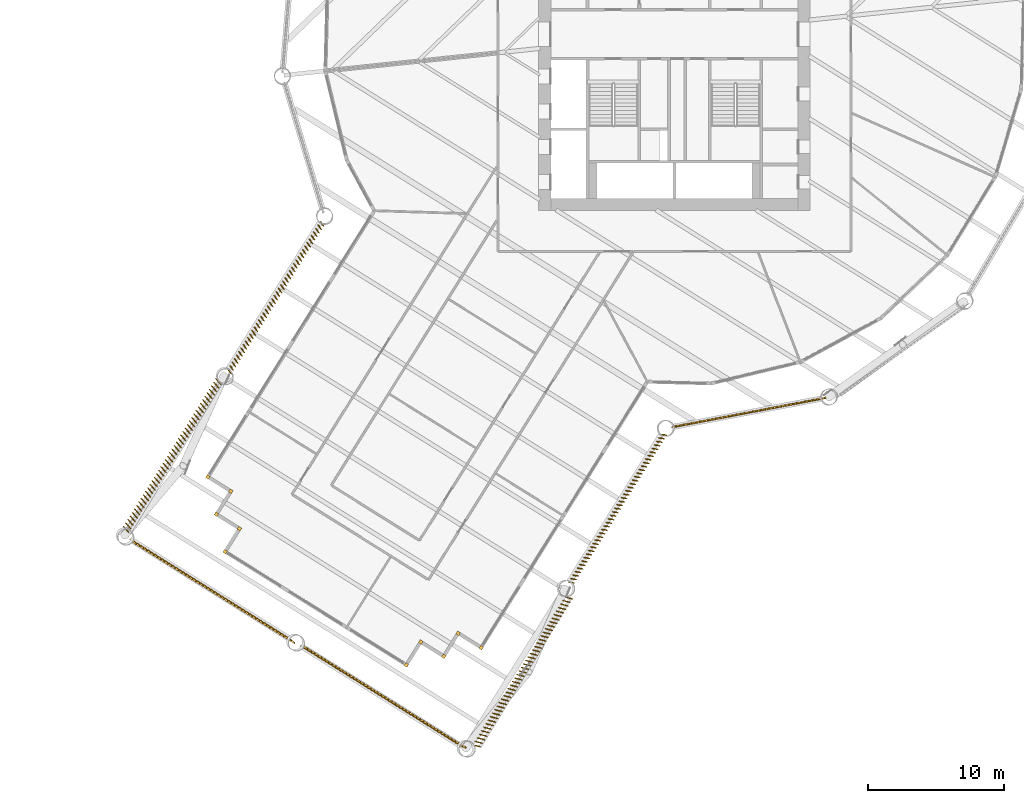
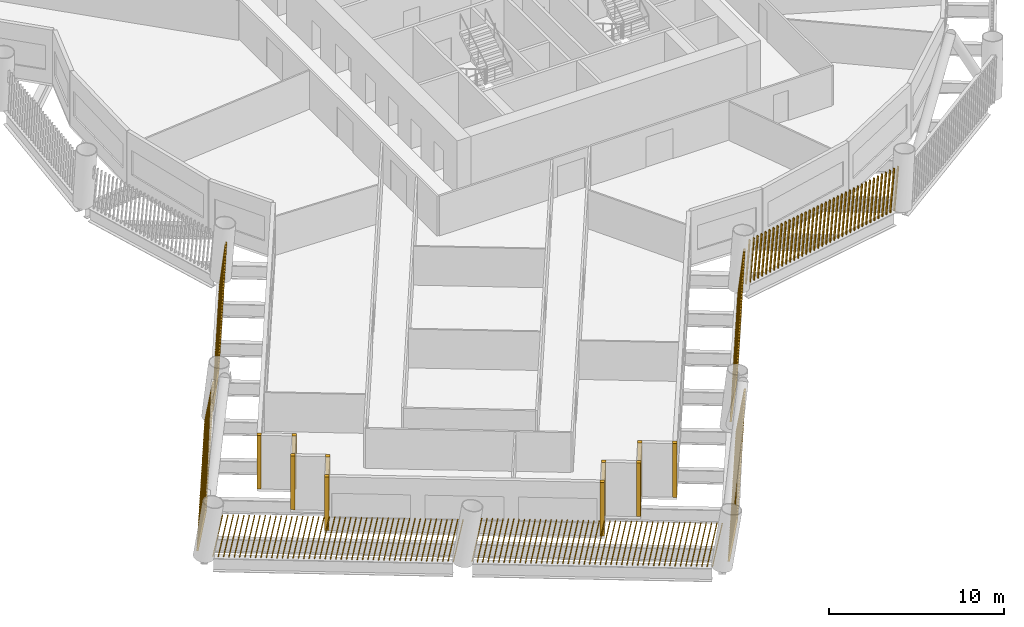
# One storey, part 18 of 22: 17 shading devices.
"""IFC4 building model written with IfcOpenShell, lengths in metres."""

from ifc_helpers import new_model, si_unit, direction, frame, frame_2d, origin, origin_2d, place, context, subcontext, project, spatial, rectangle, composite_profile, extrude, material, type_object, element, save


model = new_model("IFC4")

# Units and contexts
model_context = context("Model", 3, precision=1e-05, world=origin(), true_north=direction((0.0, 1.0)))
body_context = subcontext(model_context, "Body", "Model", "MODEL_VIEW")
ifc_project = project(units=[si_unit("LENGTHUNIT", "METRE"), si_unit("AREAUNIT", "SQUARE_METRE"), si_unit("VOLUMEUNIT", "CUBIC_METRE"), si_unit("PLANEANGLEUNIT", "RADIAN"), si_unit("MASSUNIT", "GRAM", prefix="KILO")], contexts=[model_context])

# Site, building, storey
site_placement = place(None, origin())
site = spatial("IfcSite", under=ifc_project, at=site_placement, CompositionType="ELEMENT")
building_placement = place(site_placement, origin())
building = spatial("IfcBuilding", under=site, at=building_placement, Name="Tarsis Ring Headquarters", CompositionType="ELEMENT")
storey_placement = place(building_placement, frame((0.0, 0.0, 71.199951171875)))
storey = spatial("IfcBuildingStorey", under=building, at=storey_placement, Name="L15", CompositionType="ELEMENT", Elevation=71.199951171875)

# Shading devices
ifc_material = material(Name="Terracotta baguette", Category="masonry")
shading_device_type_1 = type_object("IfcShadingDeviceType", Name="Terracotta baguette screen", PredefinedType="USERDEFINED", material=ifc_material)
shading_device_1_placement = place(storey_placement, frame((-26.061767578125, -13.778564453125, 0.0), z_axis=(0.0, 0.0, 1.0), x_axis=(-0.529915985468, -0.848054798668, 0.0)))
element("IfcShadingDevice", 1, at=shading_device_1_placement, inside=storey, type_object=shading_device_type_1, Name="Baguette screen L15-01", ObjectType="Terracotta baguette screen", PredefinedType="USERDEFINED", context=body_context, shape_type="SweptSolid", body=[
    extrude(composite_profile([rectangle(XDim=0.06005859375, YDim=0.1201171875, at=frame_2d((0.030029296875, 0.0))), rectangle(XDim=0.06005859375, YDim=0.1201171875, at=frame_2d((0.335693359375, 0.0))), rectangle(XDim=0.06005859375, YDim=0.1201171875, at=frame_2d((0.6416015625, 0.0))), rectangle(XDim=0.06005859375, YDim=0.1201171875, at=frame_2d((0.947265625, 0.0))), rectangle(XDim=0.06005859375, YDim=0.1201171875, at=frame_2d((1.253173828125, 0.0))), rectangle(XDim=0.06005859375, YDim=0.1201171875, at=frame_2d((1.558837890625, 0.0))), rectangle(XDim=0.06005859375, YDim=0.1201171875, at=frame_2d((1.864501953125, 0.0))), rectangle(XDim=0.06005859375, YDim=0.1201171875, at=frame_2d((2.17041015625, 0.0))), rectangle(XDim=0.06005859375, YDim=0.1201171875, at=frame_2d((2.47607421875, 0.0))), rectangle(XDim=0.06005859375, YDim=0.1201171875, at=frame_2d((2.781982421875, 0.0))), rectangle(XDim=0.06005859375, YDim=0.1201171875, at=frame_2d((3.087646484375, 0.0))), rectangle(XDim=0.06005859375, YDim=0.1201171875, at=frame_2d((3.393310546875, 0.0))), rectangle(XDim=0.06005859375, YDim=0.1201171875, at=frame_2d((3.69921875, 0.0))), rectangle(XDim=0.06005859375, YDim=0.1201171875, at=frame_2d((4.0048828125, 0.0))), rectangle(XDim=0.06005859375, YDim=0.1201171875, at=frame_2d((4.310791015625, 0.0))), rectangle(XDim=0.06005859375, YDim=0.1201171875, at=frame_2d((4.616455078125, 0.0))), rectangle(XDim=0.06005859375, YDim=0.1201171875, at=frame_2d((4.922119140625, 0.0))), rectangle(XDim=0.06005859375, YDim=0.1201171875, at=frame_2d((5.22802734375, 0.0))), rectangle(XDim=0.06005859375, YDim=0.1201171875, at=frame_2d((5.53369140625, 0.0))), rectangle(XDim=0.06005859375, YDim=0.1201171875, at=frame_2d((5.839599609375, 0.0))), rectangle(XDim=0.06005859375, YDim=0.1201171875, at=frame_2d((6.145263671875, 0.0))), rectangle(XDim=0.06005859375, YDim=0.1201171875, at=frame_2d((6.451171875, 0.0))), rectangle(XDim=0.06005859375, YDim=0.1201171875, at=frame_2d((6.7568359375, 0.0))), rectangle(XDim=0.06005859375, YDim=0.1201171875, at=frame_2d((7.0625, 0.0))), rectangle(XDim=0.06005859375, YDim=0.1201171875, at=frame_2d((7.368408203125, 0.0))), rectangle(XDim=0.06005859375, YDim=0.1201171875, at=frame_2d((7.674072265625, 0.0))), rectangle(XDim=0.06005859375, YDim=0.1201171875, at=frame_2d((7.97998046875, 0.0))), rectangle(XDim=0.06005859375, YDim=0.1201171875, at=frame_2d((8.28564453125, 0.0))), rectangle(XDim=0.06005859375, YDim=0.1201171875, at=frame_2d((8.59130859375, 0.0))), rectangle(XDim=0.06005859375, YDim=0.1201171875, at=frame_2d((8.897216796875, 0.0))), rectangle(XDim=0.06005859375, YDim=0.1201171875, at=frame_2d((9.202880859375, 0.0))), rectangle(XDim=0.06005859375, YDim=0.1201171875, at=frame_2d((9.5087890625, 0.0))), rectangle(XDim=0.06005859375, YDim=0.1201171875, at=frame_2d((9.814453125, 0.0))), rectangle(XDim=0.06005859375, YDim=0.1201171875, at=frame_2d((10.1201171875, 0.0))), rectangle(XDim=0.06005859375, YDim=0.1201171875, at=frame_2d((10.426025390625, 0.0))), rectangle(XDim=0.06005859375, YDim=0.1201171875, at=frame_2d((10.731689453125, 0.0))), rectangle(XDim=0.06005859375, YDim=0.1201171875, at=frame_2d((11.03759765625, 0.0))), rectangle(XDim=0.06005859375, YDim=0.1201171875, at=frame_2d((11.34326171875, 0.0))), rectangle(XDim=0.06005859375, YDim=0.1201171875, at=frame_2d((11.64892578125, 0.0))), rectangle(XDim=0.06005859375, YDim=0.1201171875, at=frame_2d((11.954833984375, 0.0))), rectangle(XDim=0.06005859375, YDim=0.1201171875, at=frame_2d((12.260498046875, 0.0))), rectangle(XDim=0.06005859375, YDim=0.1201171875, at=frame_2d((12.56640625, 0.0))), rectangle(XDim=0.06005859375, YDim=0.1201171875, at=frame_2d((12.8720703125, 0.0)))]), origin(), (0.051497089353, 0.112701213725, 0.992293548408), 2.9755859375),
])
shading_device_2_placement = place(storey_placement, frame((-33.746826171875, -25.36962890625, 0.0), z_axis=(0.0, 0.0, 1.0), x_axis=(-0.529926012829, -0.848051923477, 0.0)))
element("IfcShadingDevice", 2, at=shading_device_2_placement, inside=storey, type_object=shading_device_type_1, Name="Baguette screen L15-02", ObjectType="Terracotta baguette screen", PredefinedType="USERDEFINED", context=body_context, shape_type="SweptSolid", body=[
    extrude(composite_profile([rectangle(XDim=0.06005859375, YDim=0.1201171875, at=frame_2d((0.030029296875, 0.0))), rectangle(XDim=0.06005859375, YDim=0.1201171875, at=frame_2d((0.335693359375, 0.0))), rectangle(XDim=0.06005859375, YDim=0.1201171875, at=frame_2d((0.6416015625, 0.0))), rectangle(XDim=0.06005859375, YDim=0.1201171875, at=frame_2d((0.947265625, 0.0))), rectangle(XDim=0.06005859375, YDim=0.1201171875, at=frame_2d((1.253173828125, 0.0))), rectangle(XDim=0.06005859375, YDim=0.1201171875, at=frame_2d((1.558837890625, 0.0))), rectangle(XDim=0.06005859375, YDim=0.1201171875, at=frame_2d((1.864501953125, 0.0))), rectangle(XDim=0.06005859375, YDim=0.1201171875, at=frame_2d((2.17041015625, 0.0))), rectangle(XDim=0.06005859375, YDim=0.1201171875, at=frame_2d((2.47607421875, 0.0))), rectangle(XDim=0.06005859375, YDim=0.1201171875, at=frame_2d((2.781982421875, 0.0))), rectangle(XDim=0.06005859375, YDim=0.1201171875, at=frame_2d((3.087646484375, 0.0))), rectangle(XDim=0.06005859375, YDim=0.1201171875, at=frame_2d((3.393310546875, 0.0))), rectangle(XDim=0.06005859375, YDim=0.1201171875, at=frame_2d((3.69921875, 0.0))), rectangle(XDim=0.06005859375, YDim=0.1201171875, at=frame_2d((4.0048828125, 0.0))), rectangle(XDim=0.06005859375, YDim=0.1201171875, at=frame_2d((4.310791015625, 0.0))), rectangle(XDim=0.06005859375, YDim=0.1201171875, at=frame_2d((4.616455078125, 0.0))), rectangle(XDim=0.06005859375, YDim=0.1201171875, at=frame_2d((4.922119140625, 0.0))), rectangle(XDim=0.06005859375, YDim=0.1201171875, at=frame_2d((5.22802734375, 0.0))), rectangle(XDim=0.06005859375, YDim=0.1201171875, at=frame_2d((5.53369140625, 0.0))), rectangle(XDim=0.06005859375, YDim=0.1201171875, at=frame_2d((5.839599609375, 0.0))), rectangle(XDim=0.06005859375, YDim=0.1201171875, at=frame_2d((6.145263671875, 0.0))), rectangle(XDim=0.06005859375, YDim=0.1201171875, at=frame_2d((6.451171875, 0.0))), rectangle(XDim=0.06005859375, YDim=0.1201171875, at=frame_2d((6.7568359375, 0.0))), rectangle(XDim=0.06005859375, YDim=0.1201171875, at=frame_2d((7.0625, 0.0))), rectangle(XDim=0.06005859375, YDim=0.1201171875, at=frame_2d((7.368408203125, 0.0))), rectangle(XDim=0.06005859375, YDim=0.1201171875, at=frame_2d((7.674072265625, 0.0))), rectangle(XDim=0.06005859375, YDim=0.1201171875, at=frame_2d((7.97998046875, 0.0))), rectangle(XDim=0.06005859375, YDim=0.1201171875, at=frame_2d((8.28564453125, 0.0))), rectangle(XDim=0.06005859375, YDim=0.1201171875, at=frame_2d((8.59130859375, 0.0))), rectangle(XDim=0.06005859375, YDim=0.1201171875, at=frame_2d((8.897216796875, 0.0))), rectangle(XDim=0.06005859375, YDim=0.1201171875, at=frame_2d((9.202880859375, 0.0))), rectangle(XDim=0.06005859375, YDim=0.1201171875, at=frame_2d((9.5087890625, 0.0))), rectangle(XDim=0.06005859375, YDim=0.1201171875, at=frame_2d((9.814453125, 0.0))), rectangle(XDim=0.06005859375, YDim=0.1201171875, at=frame_2d((10.1201171875, 0.0))), rectangle(XDim=0.06005859375, YDim=0.1201171875, at=frame_2d((10.426025390625, 0.0))), rectangle(XDim=0.06005859375, YDim=0.1201171875, at=frame_2d((10.731689453125, 0.0))), rectangle(XDim=0.06005859375, YDim=0.1201171875, at=frame_2d((11.03759765625, 0.0))), rectangle(XDim=0.06005859375, YDim=0.1201171875, at=frame_2d((11.34326171875, 0.0))), rectangle(XDim=0.06005859375, YDim=0.1201171875, at=frame_2d((11.64892578125, 0.0))), rectangle(XDim=0.06005859375, YDim=0.1201171875, at=frame_2d((11.954833984375, 0.0))), rectangle(XDim=0.06005859375, YDim=0.1201171875, at=frame_2d((12.260498046875, 0.0))), rectangle(XDim=0.06005859375, YDim=0.1201171875, at=frame_2d((12.56640625, 0.0))), rectangle(XDim=0.06005859375, YDim=0.1201171875, at=frame_2d((12.8720703125, 0.0)))]), origin(), (0.052207703346, 0.160552052085, 0.985645673801), 2.99560546875),
])
shading_device_3_placement = place(storey_placement, frame((-40.10693359375, -37.198974609375, 0.0), z_axis=(0.0, 0.0, 1.0), x_axis=(0.848049535604, -0.52992481203, 0.0)))
element("IfcShadingDevice", 3, at=shading_device_3_placement, inside=storey, type_object=shading_device_type_1, Name="Baguette screen L15-03", ObjectType="Terracotta baguette screen", PredefinedType="USERDEFINED", context=body_context, shape_type="SweptSolid", body=[
    extrude(composite_profile([rectangle(XDim=0.06005859375, YDim=0.1201171875, at=frame_2d((0.030029296875, 0.0))), rectangle(XDim=0.06005859375, YDim=0.1201171875, at=frame_2d((0.33544921875, 0.0))), rectangle(XDim=0.06005859375, YDim=0.1201171875, at=frame_2d((0.640625, 0.0))), rectangle(XDim=0.06005859375, YDim=0.1201171875, at=frame_2d((0.946044921875, 0.0))), rectangle(XDim=0.06005859375, YDim=0.1201171875, at=frame_2d((1.25146484375, 0.0))), rectangle(XDim=0.06005859375, YDim=0.1201171875, at=frame_2d((1.556640625, 0.0))), rectangle(XDim=0.06005859375, YDim=0.1201171875, at=frame_2d((1.862060546875, 0.0))), rectangle(XDim=0.06005859375, YDim=0.1201171875, at=frame_2d((2.16748046875, 0.0))), rectangle(XDim=0.06005859375, YDim=0.1201171875, at=frame_2d((2.47265625, 0.0))), rectangle(XDim=0.06005859375, YDim=0.1201171875, at=frame_2d((2.778076171875, 0.0))), rectangle(XDim=0.06005859375, YDim=0.1201171875, at=frame_2d((3.08349609375, 0.0))), rectangle(XDim=0.06005859375, YDim=0.1201171875, at=frame_2d((3.388671875, 0.0))), rectangle(XDim=0.06005859375, YDim=0.1201171875, at=frame_2d((3.694091796875, 0.0))), rectangle(XDim=0.06005859375, YDim=0.1201171875, at=frame_2d((3.99951171875, 0.0))), rectangle(XDim=0.06005859375, YDim=0.1201171875, at=frame_2d((4.3046875, 0.0))), rectangle(XDim=0.06005859375, YDim=0.1201171875, at=frame_2d((4.610107421875, 0.0))), rectangle(XDim=0.06005859375, YDim=0.1201171875, at=frame_2d((4.91552734375, 0.0))), rectangle(XDim=0.06005859375, YDim=0.1201171875, at=frame_2d((5.220703125, 0.0))), rectangle(XDim=0.06005859375, YDim=0.1201171875, at=frame_2d((5.526123046875, 0.0))), rectangle(XDim=0.06005859375, YDim=0.1201171875, at=frame_2d((5.83154296875, 0.0))), rectangle(XDim=0.06005859375, YDim=0.1201171875, at=frame_2d((6.13671875, 0.0))), rectangle(XDim=0.06005859375, YDim=0.1201171875, at=frame_2d((6.442138671875, 0.0))), rectangle(XDim=0.06005859375, YDim=0.1201171875, at=frame_2d((6.74755859375, 0.0))), rectangle(XDim=0.06005859375, YDim=0.1201171875, at=frame_2d((7.052734375, 0.0))), rectangle(XDim=0.06005859375, YDim=0.1201171875, at=frame_2d((7.358154296875, 0.0))), rectangle(XDim=0.06005859375, YDim=0.1201171875, at=frame_2d((7.66357421875, 0.0))), rectangle(XDim=0.06005859375, YDim=0.1201171875, at=frame_2d((7.96875, 0.0))), rectangle(XDim=0.06005859375, YDim=0.1201171875, at=frame_2d((8.274169921875, 0.0))), rectangle(XDim=0.06005859375, YDim=0.1201171875, at=frame_2d((8.57958984375, 0.0))), rectangle(XDim=0.06005859375, YDim=0.1201171875, at=frame_2d((8.884765625, 0.0))), rectangle(XDim=0.06005859375, YDim=0.1201171875, at=frame_2d((9.190185546875, 0.0))), rectangle(XDim=0.06005859375, YDim=0.1201171875, at=frame_2d((9.49560546875, 0.0))), rectangle(XDim=0.06005859375, YDim=0.1201171875, at=frame_2d((9.80078125, 0.0))), rectangle(XDim=0.06005859375, YDim=0.1201171875, at=frame_2d((10.106201171875, 0.0))), rectangle(XDim=0.06005859375, YDim=0.1201171875, at=frame_2d((10.41162109375, 0.0))), rectangle(XDim=0.06005859375, YDim=0.1201171875, at=frame_2d((10.716796875, 0.0))), rectangle(XDim=0.06005859375, YDim=0.1201171875, at=frame_2d((11.022216796875, 0.0))), rectangle(XDim=0.06005859375, YDim=0.1201171875, at=frame_2d((11.32763671875, 0.0))), rectangle(XDim=0.06005859375, YDim=0.1201171875, at=frame_2d((11.6328125, 0.0))), rectangle(XDim=0.06005859375, YDim=0.1201171875, at=frame_2d((11.938232421875, 0.0))), rectangle(XDim=0.06005859375, YDim=0.1201171875, at=frame_2d((12.24365234375, 0.0))), rectangle(XDim=0.06005859375, YDim=0.1201171875, at=frame_2d((12.548828125, 0.0))), rectangle(XDim=0.06005859375, YDim=0.1201171875, at=frame_2d((12.854248046875, 0.0))), rectangle(XDim=0.06005859375, YDim=0.1201171875, at=frame_2d((13.15966796875, 0.0))), rectangle(XDim=0.06005859375, YDim=0.1201171875, at=frame_2d((13.46484375, 0.0))), rectangle(XDim=0.06005859375, YDim=0.1201171875, at=frame_2d((13.770263671875, 0.0)))]), origin(), (0.184135156005, -0.024823667518, 0.982587415884), 3.0048828125),
])
shading_device_4_placement = place(storey_placement, frame((-27.5556640625, -45.0419921875, 0.0), z_axis=(0.0, 0.0, 1.0), x_axis=(0.848049535604, -0.529907120743, 0.0)))
element("IfcShadingDevice", 4, at=shading_device_4_placement, inside=storey, type_object=shading_device_type_1, Name="Baguette screen L15-04", ObjectType="Terracotta baguette screen", PredefinedType="USERDEFINED", context=body_context, shape_type="SweptSolid", body=[
    extrude(composite_profile([rectangle(XDim=0.06005859375, YDim=0.1201171875, at=frame_2d((0.030029296875, 0.0))), rectangle(XDim=0.06005859375, YDim=0.1201171875, at=frame_2d((0.33544921875, 0.0))), rectangle(XDim=0.06005859375, YDim=0.1201171875, at=frame_2d((0.640625, 0.0))), rectangle(XDim=0.06005859375, YDim=0.1201171875, at=frame_2d((0.946044921875, 0.0))), rectangle(XDim=0.06005859375, YDim=0.1201171875, at=frame_2d((1.25146484375, 0.0))), rectangle(XDim=0.06005859375, YDim=0.1201171875, at=frame_2d((1.556640625, 0.0))), rectangle(XDim=0.06005859375, YDim=0.1201171875, at=frame_2d((1.862060546875, 0.0))), rectangle(XDim=0.06005859375, YDim=0.1201171875, at=frame_2d((2.16748046875, 0.0))), rectangle(XDim=0.06005859375, YDim=0.1201171875, at=frame_2d((2.47265625, 0.0))), rectangle(XDim=0.06005859375, YDim=0.1201171875, at=frame_2d((2.778076171875, 0.0))), rectangle(XDim=0.06005859375, YDim=0.1201171875, at=frame_2d((3.08349609375, 0.0))), rectangle(XDim=0.06005859375, YDim=0.1201171875, at=frame_2d((3.388671875, 0.0))), rectangle(XDim=0.06005859375, YDim=0.1201171875, at=frame_2d((3.694091796875, 0.0))), rectangle(XDim=0.06005859375, YDim=0.1201171875, at=frame_2d((3.99951171875, 0.0))), rectangle(XDim=0.06005859375, YDim=0.1201171875, at=frame_2d((4.3046875, 0.0))), rectangle(XDim=0.06005859375, YDim=0.1201171875, at=frame_2d((4.610107421875, 0.0))), rectangle(XDim=0.06005859375, YDim=0.1201171875, at=frame_2d((4.91552734375, 0.0))), rectangle(XDim=0.06005859375, YDim=0.1201171875, at=frame_2d((5.220703125, 0.0))), rectangle(XDim=0.06005859375, YDim=0.1201171875, at=frame_2d((5.526123046875, 0.0))), rectangle(XDim=0.06005859375, YDim=0.1201171875, at=frame_2d((5.83154296875, 0.0))), rectangle(XDim=0.06005859375, YDim=0.1201171875, at=frame_2d((6.13671875, 0.0))), rectangle(XDim=0.06005859375, YDim=0.1201171875, at=frame_2d((6.442138671875, 0.0))), rectangle(XDim=0.06005859375, YDim=0.1201171875, at=frame_2d((6.74755859375, 0.0))), rectangle(XDim=0.06005859375, YDim=0.1201171875, at=frame_2d((7.052734375, 0.0))), rectangle(XDim=0.06005859375, YDim=0.1201171875, at=frame_2d((7.358154296875, 0.0))), rectangle(XDim=0.06005859375, YDim=0.1201171875, at=frame_2d((7.66357421875, 0.0))), rectangle(XDim=0.06005859375, YDim=0.1201171875, at=frame_2d((7.96875, 0.0))), rectangle(XDim=0.06005859375, YDim=0.1201171875, at=frame_2d((8.274169921875, 0.0))), rectangle(XDim=0.06005859375, YDim=0.1201171875, at=frame_2d((8.57958984375, 0.0))), rectangle(XDim=0.06005859375, YDim=0.1201171875, at=frame_2d((8.884765625, 0.0))), rectangle(XDim=0.06005859375, YDim=0.1201171875, at=frame_2d((9.190185546875, 0.0))), rectangle(XDim=0.06005859375, YDim=0.1201171875, at=frame_2d((9.49560546875, 0.0))), rectangle(XDim=0.06005859375, YDim=0.1201171875, at=frame_2d((9.80078125, 0.0))), rectangle(XDim=0.06005859375, YDim=0.1201171875, at=frame_2d((10.106201171875, 0.0))), rectangle(XDim=0.06005859375, YDim=0.1201171875, at=frame_2d((10.41162109375, 0.0))), rectangle(XDim=0.06005859375, YDim=0.1201171875, at=frame_2d((10.716796875, 0.0))), rectangle(XDim=0.06005859375, YDim=0.1201171875, at=frame_2d((11.022216796875, 0.0))), rectangle(XDim=0.06005859375, YDim=0.1201171875, at=frame_2d((11.32763671875, 0.0))), rectangle(XDim=0.06005859375, YDim=0.1201171875, at=frame_2d((11.6328125, 0.0))), rectangle(XDim=0.06005859375, YDim=0.1201171875, at=frame_2d((11.938232421875, 0.0))), rectangle(XDim=0.06005859375, YDim=0.1201171875, at=frame_2d((12.24365234375, 0.0))), rectangle(XDim=0.06005859375, YDim=0.1201171875, at=frame_2d((12.548828125, 0.0))), rectangle(XDim=0.06005859375, YDim=0.1201171875, at=frame_2d((12.854248046875, 0.0))), rectangle(XDim=0.06005859375, YDim=0.1201171875, at=frame_2d((13.15966796875, 0.0))), rectangle(XDim=0.06005859375, YDim=0.1201171875, at=frame_2d((13.46484375, 0.0))), rectangle(XDim=0.06005859375, YDim=0.1201171875, at=frame_2d((13.770263671875, 0.0)))]), origin(), (0.183863567775, 0.026749189486, 0.982587741277), 3.0048828125),
])
shading_device_5_placement = place(storey_placement, frame((-14.845703125, -52.39453125, 0.0), z_axis=(0.0, 0.0, 1.0), x_axis=(0.529915985468, 0.848054798668, 0.0)))
element("IfcShadingDevice", 5, at=shading_device_5_placement, inside=storey, type_object=shading_device_type_1, Name="Baguette screen L15-05", ObjectType="Terracotta baguette screen", PredefinedType="USERDEFINED", context=body_context, shape_type="SweptSolid", body=[
    extrude(composite_profile([rectangle(XDim=0.06005859375, YDim=0.1201171875, at=frame_2d((0.030029296875, 0.0))), rectangle(XDim=0.06005859375, YDim=0.1201171875, at=frame_2d((0.335693359375, 0.0))), rectangle(XDim=0.06005859375, YDim=0.1201171875, at=frame_2d((0.6416015625, 0.0))), rectangle(XDim=0.06005859375, YDim=0.1201171875, at=frame_2d((0.947265625, 0.0))), rectangle(XDim=0.06005859375, YDim=0.1201171875, at=frame_2d((1.253173828125, 0.0))), rectangle(XDim=0.06005859375, YDim=0.1201171875, at=frame_2d((1.558837890625, 0.0))), rectangle(XDim=0.06005859375, YDim=0.1201171875, at=frame_2d((1.864501953125, 0.0))), rectangle(XDim=0.06005859375, YDim=0.1201171875, at=frame_2d((2.17041015625, 0.0))), rectangle(XDim=0.06005859375, YDim=0.1201171875, at=frame_2d((2.47607421875, 0.0))), rectangle(XDim=0.06005859375, YDim=0.1201171875, at=frame_2d((2.781982421875, 0.0))), rectangle(XDim=0.06005859375, YDim=0.1201171875, at=frame_2d((3.087646484375, 0.0))), rectangle(XDim=0.06005859375, YDim=0.1201171875, at=frame_2d((3.393310546875, 0.0))), rectangle(XDim=0.06005859375, YDim=0.1201171875, at=frame_2d((3.69921875, 0.0))), rectangle(XDim=0.06005859375, YDim=0.1201171875, at=frame_2d((4.0048828125, 0.0))), rectangle(XDim=0.06005859375, YDim=0.1201171875, at=frame_2d((4.310791015625, 0.0))), rectangle(XDim=0.06005859375, YDim=0.1201171875, at=frame_2d((4.616455078125, 0.0))), rectangle(XDim=0.06005859375, YDim=0.1201171875, at=frame_2d((4.922119140625, 0.0))), rectangle(XDim=0.06005859375, YDim=0.1201171875, at=frame_2d((5.22802734375, 0.0))), rectangle(XDim=0.06005859375, YDim=0.1201171875, at=frame_2d((5.53369140625, 0.0))), rectangle(XDim=0.06005859375, YDim=0.1201171875, at=frame_2d((5.839599609375, 0.0))), rectangle(XDim=0.06005859375, YDim=0.1201171875, at=frame_2d((6.145263671875, 0.0))), rectangle(XDim=0.06005859375, YDim=0.1201171875, at=frame_2d((6.451171875, 0.0))), rectangle(XDim=0.06005859375, YDim=0.1201171875, at=frame_2d((6.7568359375, 0.0))), rectangle(XDim=0.06005859375, YDim=0.1201171875, at=frame_2d((7.0625, 0.0))), rectangle(XDim=0.06005859375, YDim=0.1201171875, at=frame_2d((7.368408203125, 0.0))), rectangle(XDim=0.06005859375, YDim=0.1201171875, at=frame_2d((7.674072265625, 0.0))), rectangle(XDim=0.06005859375, YDim=0.1201171875, at=frame_2d((7.97998046875, 0.0))), rectangle(XDim=0.06005859375, YDim=0.1201171875, at=frame_2d((8.28564453125, 0.0))), rectangle(XDim=0.06005859375, YDim=0.1201171875, at=frame_2d((8.59130859375, 0.0))), rectangle(XDim=0.06005859375, YDim=0.1201171875, at=frame_2d((8.897216796875, 0.0))), rectangle(XDim=0.06005859375, YDim=0.1201171875, at=frame_2d((9.202880859375, 0.0))), rectangle(XDim=0.06005859375, YDim=0.1201171875, at=frame_2d((9.5087890625, 0.0))), rectangle(XDim=0.06005859375, YDim=0.1201171875, at=frame_2d((9.814453125, 0.0))), rectangle(XDim=0.06005859375, YDim=0.1201171875, at=frame_2d((10.1201171875, 0.0))), rectangle(XDim=0.06005859375, YDim=0.1201171875, at=frame_2d((10.426025390625, 0.0))), rectangle(XDim=0.06005859375, YDim=0.1201171875, at=frame_2d((10.731689453125, 0.0))), rectangle(XDim=0.06005859375, YDim=0.1201171875, at=frame_2d((11.03759765625, 0.0))), rectangle(XDim=0.06005859375, YDim=0.1201171875, at=frame_2d((11.34326171875, 0.0))), rectangle(XDim=0.06005859375, YDim=0.1201171875, at=frame_2d((11.64892578125, 0.0))), rectangle(XDim=0.06005859375, YDim=0.1201171875, at=frame_2d((11.954833984375, 0.0))), rectangle(XDim=0.06005859375, YDim=0.1201171875, at=frame_2d((12.260498046875, 0.0))), rectangle(XDim=0.06005859375, YDim=0.1201171875, at=frame_2d((12.56640625, 0.0))), rectangle(XDim=0.06005859375, YDim=0.1201171875, at=frame_2d((12.8720703125, 0.0)))]), origin(), (0.053885297461, -0.159996133119, 0.985645784298), 2.99560546875),
])
shading_device_6_placement = place(storey_placement, frame((-7.796630859375, -40.406005859375, 0.0), z_axis=(0.0, 0.0, 1.0), x_axis=(0.529926012829, 0.848051923477, 0.0)))
element("IfcShadingDevice", 6, at=shading_device_6_placement, inside=storey, type_object=shading_device_type_1, Name="Baguette screen L15-06", ObjectType="Terracotta baguette screen", PredefinedType="USERDEFINED", context=body_context, shape_type="SweptSolid", body=[
    extrude(composite_profile([rectangle(XDim=0.06005859375, YDim=0.1201171875, at=frame_2d((0.030029296875, 0.0))), rectangle(XDim=0.06005859375, YDim=0.1201171875, at=frame_2d((0.335693359375, 0.0))), rectangle(XDim=0.06005859375, YDim=0.1201171875, at=frame_2d((0.6416015625, 0.0))), rectangle(XDim=0.06005859375, YDim=0.1201171875, at=frame_2d((0.947265625, 0.0))), rectangle(XDim=0.06005859375, YDim=0.1201171875, at=frame_2d((1.253173828125, 0.0))), rectangle(XDim=0.06005859375, YDim=0.1201171875, at=frame_2d((1.558837890625, 0.0))), rectangle(XDim=0.06005859375, YDim=0.1201171875, at=frame_2d((1.864501953125, 0.0))), rectangle(XDim=0.06005859375, YDim=0.1201171875, at=frame_2d((2.17041015625, 0.0))), rectangle(XDim=0.06005859375, YDim=0.1201171875, at=frame_2d((2.47607421875, 0.0))), rectangle(XDim=0.06005859375, YDim=0.1201171875, at=frame_2d((2.781982421875, 0.0))), rectangle(XDim=0.06005859375, YDim=0.1201171875, at=frame_2d((3.087646484375, 0.0))), rectangle(XDim=0.06005859375, YDim=0.1201171875, at=frame_2d((3.393310546875, 0.0))), rectangle(XDim=0.06005859375, YDim=0.1201171875, at=frame_2d((3.69921875, 0.0))), rectangle(XDim=0.06005859375, YDim=0.1201171875, at=frame_2d((4.0048828125, 0.0))), rectangle(XDim=0.06005859375, YDim=0.1201171875, at=frame_2d((4.310791015625, 0.0))), rectangle(XDim=0.06005859375, YDim=0.1201171875, at=frame_2d((4.616455078125, 0.0))), rectangle(XDim=0.06005859375, YDim=0.1201171875, at=frame_2d((4.922119140625, 0.0))), rectangle(XDim=0.06005859375, YDim=0.1201171875, at=frame_2d((5.22802734375, 0.0))), rectangle(XDim=0.06005859375, YDim=0.1201171875, at=frame_2d((5.53369140625, 0.0))), rectangle(XDim=0.06005859375, YDim=0.1201171875, at=frame_2d((5.839599609375, 0.0))), rectangle(XDim=0.06005859375, YDim=0.1201171875, at=frame_2d((6.145263671875, 0.0))), rectangle(XDim=0.06005859375, YDim=0.1201171875, at=frame_2d((6.451171875, 0.0))), rectangle(XDim=0.06005859375, YDim=0.1201171875, at=frame_2d((6.7568359375, 0.0))), rectangle(XDim=0.06005859375, YDim=0.1201171875, at=frame_2d((7.0625, 0.0))), rectangle(XDim=0.06005859375, YDim=0.1201171875, at=frame_2d((7.368408203125, 0.0))), rectangle(XDim=0.06005859375, YDim=0.1201171875, at=frame_2d((7.674072265625, 0.0))), rectangle(XDim=0.06005859375, YDim=0.1201171875, at=frame_2d((7.97998046875, 0.0))), rectangle(XDim=0.06005859375, YDim=0.1201171875, at=frame_2d((8.28564453125, 0.0))), rectangle(XDim=0.06005859375, YDim=0.1201171875, at=frame_2d((8.59130859375, 0.0))), rectangle(XDim=0.06005859375, YDim=0.1201171875, at=frame_2d((8.897216796875, 0.0))), rectangle(XDim=0.06005859375, YDim=0.1201171875, at=frame_2d((9.202880859375, 0.0))), rectangle(XDim=0.06005859375, YDim=0.1201171875, at=frame_2d((9.5087890625, 0.0))), rectangle(XDim=0.06005859375, YDim=0.1201171875, at=frame_2d((9.814453125, 0.0))), rectangle(XDim=0.06005859375, YDim=0.1201171875, at=frame_2d((10.1201171875, 0.0))), rectangle(XDim=0.06005859375, YDim=0.1201171875, at=frame_2d((10.426025390625, 0.0))), rectangle(XDim=0.06005859375, YDim=0.1201171875, at=frame_2d((10.731689453125, 0.0))), rectangle(XDim=0.06005859375, YDim=0.1201171875, at=frame_2d((11.03759765625, 0.0))), rectangle(XDim=0.06005859375, YDim=0.1201171875, at=frame_2d((11.34326171875, 0.0))), rectangle(XDim=0.06005859375, YDim=0.1201171875, at=frame_2d((11.64892578125, 0.0))), rectangle(XDim=0.06005859375, YDim=0.1201171875, at=frame_2d((11.954833984375, 0.0))), rectangle(XDim=0.06005859375, YDim=0.1201171875, at=frame_2d((12.260498046875, 0.0))), rectangle(XDim=0.06005859375, YDim=0.1201171875, at=frame_2d((12.56640625, 0.0))), rectangle(XDim=0.06005859375, YDim=0.1201171875, at=frame_2d((12.8720703125, 0.0)))]), origin(), (0.052674367556, -0.112155975205, 0.992293529269), 2.9755859375),
])
shading_device_7_placement = place(storey_placement, frame((-0.203369140625, -28.946533203125, 0.0), z_axis=(0.0, 0.0, 1.0), x_axis=(0.982289744981, 0.18741182854, 0.0)))
element("IfcShadingDevice", 7, at=shading_device_7_placement, inside=storey, type_object=shading_device_type_1, Name="Baguette screen L15-07", ObjectType="Terracotta baguette screen", PredefinedType="USERDEFINED", context=body_context, shape_type="SweptSolid", body=[
    extrude(composite_profile([rectangle(XDim=0.06005859375, YDim=0.1201171875, at=frame_2d((0.030029296875, 0.0))), rectangle(XDim=0.06005859375, YDim=0.1201171875, at=frame_2d((0.33251953125, 0.0))), rectangle(XDim=0.06005859375, YDim=0.1201171875, at=frame_2d((0.634765625, 0.0))), rectangle(XDim=0.06005859375, YDim=0.1201171875, at=frame_2d((0.937255859375, 0.0))), rectangle(XDim=0.06005859375, YDim=0.1201171875, at=frame_2d((1.239501953125, 0.0))), rectangle(XDim=0.06005859375, YDim=0.1201171875, at=frame_2d((1.5419921875, 0.0))), rectangle(XDim=0.06005859375, YDim=0.1201171875, at=frame_2d((1.844482421875, 0.0))), rectangle(XDim=0.06005859375, YDim=0.1201171875, at=frame_2d((2.146728515625, 0.0))), rectangle(XDim=0.06005859375, YDim=0.1201171875, at=frame_2d((2.44921875, 0.0))), rectangle(XDim=0.06005859375, YDim=0.1201171875, at=frame_2d((2.751708984375, 0.0))), rectangle(XDim=0.06005859375, YDim=0.1201171875, at=frame_2d((3.053955078125, 0.0))), rectangle(XDim=0.06005859375, YDim=0.1201171875, at=frame_2d((3.3564453125, 0.0))), rectangle(XDim=0.06005859375, YDim=0.1201171875, at=frame_2d((3.65869140625, 0.0))), rectangle(XDim=0.06005859375, YDim=0.1201171875, at=frame_2d((3.961181640625, 0.0))), rectangle(XDim=0.06005859375, YDim=0.1201171875, at=frame_2d((4.263671875, 0.0))), rectangle(XDim=0.06005859375, YDim=0.1201171875, at=frame_2d((4.56591796875, 0.0))), rectangle(XDim=0.06005859375, YDim=0.1201171875, at=frame_2d((4.868408203125, 0.0))), rectangle(XDim=0.06005859375, YDim=0.1201171875, at=frame_2d((5.1708984375, 0.0))), rectangle(XDim=0.06005859375, YDim=0.1201171875, at=frame_2d((5.47314453125, 0.0))), rectangle(XDim=0.06005859375, YDim=0.1201171875, at=frame_2d((5.775634765625, 0.0))), rectangle(XDim=0.06005859375, YDim=0.1201171875, at=frame_2d((6.077880859375, 0.0))), rectangle(XDim=0.06005859375, YDim=0.1201171875, at=frame_2d((6.38037109375, 0.0))), rectangle(XDim=0.06005859375, YDim=0.1201171875, at=frame_2d((6.682861328125, 0.0))), rectangle(XDim=0.06005859375, YDim=0.1201171875, at=frame_2d((6.985107421875, 0.0))), rectangle(XDim=0.06005859375, YDim=0.1201171875, at=frame_2d((7.28759765625, 0.0))), rectangle(XDim=0.06005859375, YDim=0.1201171875, at=frame_2d((7.590087890625, 0.0))), rectangle(XDim=0.06005859375, YDim=0.1201171875, at=frame_2d((7.892333984375, 0.0))), rectangle(XDim=0.06005859375, YDim=0.1201171875, at=frame_2d((8.19482421875, 0.0))), rectangle(XDim=0.06005859375, YDim=0.1201171875, at=frame_2d((8.4970703125, 0.0))), rectangle(XDim=0.06005859375, YDim=0.1201171875, at=frame_2d((8.799560546875, 0.0))), rectangle(XDim=0.06005859375, YDim=0.1201171875, at=frame_2d((9.10205078125, 0.0))), rectangle(XDim=0.06005859375, YDim=0.1201171875, at=frame_2d((9.404296875, 0.0))), rectangle(XDim=0.06005859375, YDim=0.1201171875, at=frame_2d((9.706787109375, 0.0))), rectangle(XDim=0.06005859375, YDim=0.1201171875, at=frame_2d((10.00927734375, 0.0))), rectangle(XDim=0.06005859375, YDim=0.1201171875, at=frame_2d((10.3115234375, 0.0))), rectangle(XDim=0.06005859375, YDim=0.1201171875, at=frame_2d((10.614013671875, 0.0))), rectangle(XDim=0.06005859375, YDim=0.1201171875, at=frame_2d((10.916259765625, 0.0))), rectangle(XDim=0.06005859375, YDim=0.1201171875, at=frame_2d((11.21875, 0.0)))]), origin(), (0.100201218849, 0.000523911334, 0.994967055363), 2.967529296875),
])
shading_device_type_2 = type_object("IfcShadingDeviceType", Name="Terracotta corner baguette 250x250", PredefinedType="USERDEFINED", material=ifc_material)
for number, where, z_axis, x_axis, name in (
    (8, (-34.380615234375, -32.611328125, 0.0), (0.0, 0.0, 1.0), (-0.529919234631, -0.848048114654, 0.0), "Corner baguette L15-07"),
    (9, (-32.6845703125, -33.671142578125, 0.0), (0.0, 0.0, 1.0), (0.848047966673, -0.52991947145, 0.0), "Corner baguette L15-08"),
    (10, (-33.744384765625, -35.367431640625, 0.0), (0.0, 0.0, 1.0), (-0.529919116221, -0.848048188645, 0.0), "Corner baguette L15-09"),
    (11, (-32.04833984375, -36.42724609375, 0.0), (0.0, 0.0, 1.0), (0.848048049912, -0.529919338239, 0.0), "Corner baguette L15-10"),
    (12, (-33.108154296875, -38.123291015625, 0.0), (0.0, 0.0, 1.0), (-0.529918894202, -0.848048327377, 0.0), "Corner baguette L15-11"),
    (13, (-19.75146484375, -46.469482421875, 0.0), (0.0, 0.0, 1.0), (0.848048123903, -0.52991921983, 0.0), "Corner baguette L15-12"),
    (14, (-18.69140625, -44.7734375, 0.0), (0.0, 0.0, 1.0), (0.52991970827, 0.848047818691, 0.0), "Corner baguette L15-13"),
    (15, (-16.995361328125, -45.833251953125, 0.0), (0.0, 0.0, 1.0), (0.848048327377, -0.529918894202, 0.0), "Corner baguette L15-14"),
    (16, (-15.935546875, -44.13720703125, 0.0), (0.0, 0.0, 1.0), (0.529919116221, 0.848048188645, 0.0), "Corner baguette L15-15"),
    (17, (-14.239501953125, -45.197021484375, 0.0), (0.0, 0.0, 1.0), (0.848048188645, -0.529919116221, 0.0), "Corner baguette L15-16"),
):
    element("IfcShadingDevice", number, at=place(storey_placement, frame(where, z_axis=z_axis, x_axis=x_axis)), inside=storey, type_object=shading_device_type_2, Name=name, ObjectType="Terracotta corner baguette", PredefinedType="USERDEFINED", context=body_context, shape_type="SweptSolid", body=[
        extrude(rectangle(XDim=0.25, YDim=0.25, at=origin_2d()), origin(), (0.0, 0.0, 1.0), 3.739990234375),
    ])

save(model, "model.ifc")
